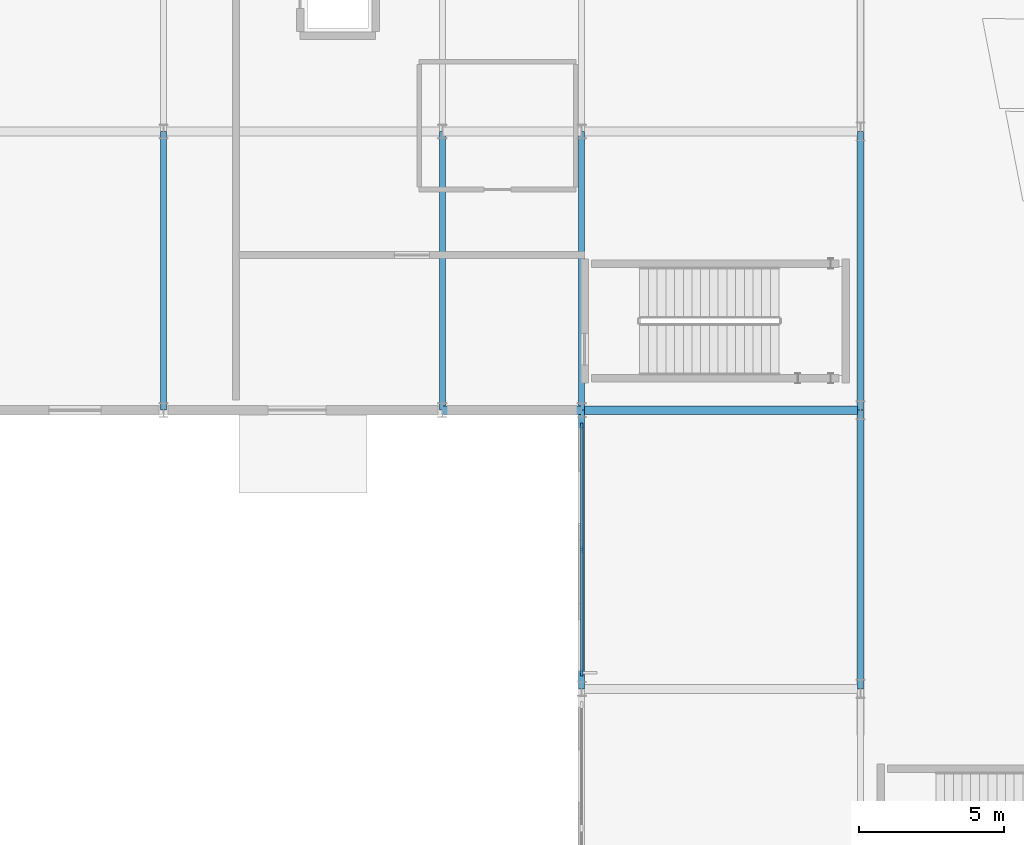
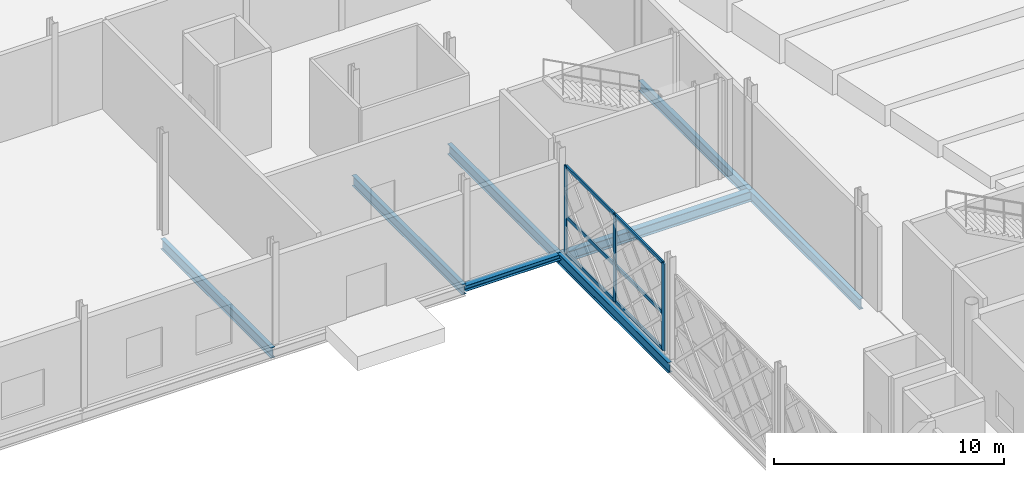
# One storey, part 41 of 84: 9 members, 8 beams, 1 element without a shape of its own.
"""IFC4 building model written with IfcOpenShell, lengths in metres."""

import ifcopenshell
import ifcopenshell.guid

model = None  # the IFC model being written
_history = None  # IfcOwnerHistory: only IFC2X3 demands one
_inside = {}  # id of a spatial element -> (the spatial element, [elements in it])
_under = {}  # id of a project, library or spatial element -> (it, [spatial elements below it])
_declared = {}  # id of a project -> (the project, [libraries it declares])
_typed = {}  # id of a type object -> (the type object, [elements of that type])
_made_of = {}  # id of a material, layer set ... -> (it, [elements and type objects made of it])


def new_model(schema):
    """Start an empty IFC model of exactly this schema.

    Asked for "IFC4X3", IfcOpenShell would pick the latest addendum, in which some entities
    have other attributes; the version numbers below select the first issue.
    IFC2X3 requires an IfcOwnerHistory on every rooted entity: one is made here for all.
    """
    global model, _history
    if schema == "IFC4X3":
        model = ifcopenshell.file(schema_version=(4, 3, 0, 0))
    else:
        model = ifcopenshell.file(schema=schema)
    _inside.clear()
    _under.clear()
    _declared.clear()
    _typed.clear()
    _made_of.clear()
    _history = None
    if model.schema == "IFC2X3":
        org = make("IfcOrganization", Name="unknown")
        user = make(
            "IfcPersonAndOrganization",
            ThePerson=make("IfcPerson", FamilyName="unknown"),
            TheOrganization=org,
        )
        app = make(
            "IfcApplication",
            ApplicationDeveloper=org,
            Version="unknown",
            ApplicationFullName="unknown",
            ApplicationIdentifier="unknown",
        )
        _history = make(
            "IfcOwnerHistory",
            OwningUser=user,
            OwningApplication=app,
            ChangeAction="ADDED",
            CreationDate=0,
        )
    return model


def make(cls, **values):
    """One entity of the class cls with the attributes given. An attribute that is None is left unset."""
    return model.create_entity(
        cls, **{name: value for name, value in values.items() if value is not None}
    )


def rooted(cls, **values):
    """An entity with a GlobalId (a new one), such as an element, a storey or a relation."""
    return make(cls, GlobalId=ifcopenshell.guid.new(), OwnerHistory=_history, **values)


def si_unit(unit_type, name, prefix=None):
    """IfcSIUnit, for example si_unit("LENGTHUNIT", "METRE", prefix="MILLI")."""
    return make("IfcSIUnit", UnitType=unit_type, Prefix=prefix, Name=name)


def assignment(units):
    """IfcUnitAssignment: the units of a project."""
    return None if units is None else make("IfcUnitAssignment", Units=units)


def point(xyz):
    """IfcCartesianPoint."""
    return None if xyz is None else make("IfcCartesianPoint", Coordinates=xyz)


def direction(xyz):
    """IfcDirection."""
    return None if xyz is None else make("IfcDirection", DirectionRatios=xyz)


def frame(location, z_axis=None, x_axis=None):
    """IfcAxis2Placement3D, a coordinate frame: its origin and axes. An axis left out is left unset."""
    return make(
        "IfcAxis2Placement3D",
        Location=point(location),
        Axis=direction(z_axis),
        RefDirection=direction(x_axis),
    )


def frame_2d(location, x_axis=None):
    """IfcAxis2Placement2D, a coordinate frame in the plane: its origin and x axis."""
    return make(
        "IfcAxis2Placement2D", Location=point(location), RefDirection=direction(x_axis)
    )


def origin():
    """The frame at (0, 0, 0) with its axes left unset."""
    return frame((0.0, 0.0, 0.0))


def origin_2d():
    """The frame at (0, 0) in the plane with its x axis left unset."""
    return frame_2d((0.0, 0.0))


def place(relative_to, where):
    """IfcLocalPlacement: puts the frame where relative to a parent placement (None: the world)."""
    return make(
        "IfcLocalPlacement", PlacementRelTo=relative_to, RelativePlacement=where
    )


def context(
    kind, dimensions, precision=None, world=None, true_north=None, identifier=None
):
    """IfcGeometricRepresentationContext, for example the 3D "Model" context."""
    return make(
        "IfcGeometricRepresentationContext",
        ContextIdentifier=identifier,
        ContextType=kind,
        CoordinateSpaceDimension=dimensions,
        Precision=precision,
        WorldCoordinateSystem=world,
        TrueNorth=true_north,
    )


def subcontext(parent, identifier, kind, view, scale=None):
    """IfcGeometricRepresentationSubContext, for example "Body" below "Model"."""
    return make(
        "IfcGeometricRepresentationSubContext",
        ContextIdentifier=identifier,
        ContextType=kind,
        ParentContext=parent,
        TargetScale=scale,
        TargetView=view,
    )


def project(units=None, contexts=None):
    """IfcProject with its units and contexts."""
    return rooted(
        "IfcProject",
        Name="project",
        RepresentationContexts=contexts,
        UnitsInContext=assignment(units),
    )


def spatial(cls, under=None, at=None, **own):
    """A site, building, storey or space (cls), placed at a placement, below another one or the project."""
    s = rooted(cls, ObjectPlacement=at, **own)
    if under is not None:
        _under.setdefault(under.id(), (under, []))[1].append(s)
    return s


def profile(cls, at=None, kind="AREA", **sizes):
    """A parametric profile (cls). Its sizes go by their IFC names, for example OverallWidth=200.0."""
    return make(cls, ProfileType=kind, Position=at, **sizes)


def rectangle(**sizes):
    """IfcRectangleProfileDef."""
    return profile("IfcRectangleProfileDef", **sizes)


def i_section(**sizes):
    """IfcIShapeProfileDef."""
    return profile("IfcIShapeProfileDef", **sizes)


def extrude(swept, where, along, depth):
    """IfcExtrudedAreaSolid: the profile swept, set in the frame where, extruded along a direction by depth."""
    return make(
        "IfcExtrudedAreaSolid",
        SweptArea=swept,
        Position=where,
        ExtrudedDirection=direction(along),
        Depth=depth,
    )


def shape(context_of_items, identifier, shape_type, items):
    """IfcShapeRepresentation: the items that make up one representation, for example the "Body"."""
    return make(
        "IfcShapeRepresentation",
        ContextOfItems=context_of_items,
        RepresentationIdentifier=identifier,
        RepresentationType=shape_type,
        Items=items,
    )


def material(Name=None, Category=None):
    """IfcMaterial."""
    return make("IfcMaterial", Name=Name, Category=Category)


def layer(
    of_material, thickness, ventilated=None, Name=None, Category=None, Priority=None
):
    """IfcMaterialLayer: one layer of a wall or slab, of a material (None: an air gap)."""
    return make(
        "IfcMaterialLayer",
        Material=of_material,
        LayerThickness=thickness,
        IsVentilated=ventilated,
        Name=Name,
        Category=Category,
        Priority=Priority,
    )


def layer_set(layers, Name=None):
    """IfcMaterialLayerSet."""
    return make("IfcMaterialLayerSet", MaterialLayers=layers, LayerSetName=Name)


def material_profile(
    of_material, cross_section, Name=None, Category=None, Priority=None
):
    """IfcMaterialProfile: a cross section and its material."""
    return make(
        "IfcMaterialProfile",
        Name=Name,
        Material=of_material,
        Profile=cross_section,
        Priority=Priority,
        Category=Category,
    )


def profile_set(profiles, Name=None, composite=None):
    """IfcMaterialProfileSet."""
    return make(
        "IfcMaterialProfileSet",
        Name=Name,
        MaterialProfiles=profiles,
        CompositeProfile=composite,
    )


def made_of(thing, what):
    """Note that an element or type object is made of a material, layer set ...; save() writes the relation."""
    if what is not None:
        _made_of.setdefault(what.id(), (what, []))[1].append(thing)
    return thing


def type_object(cls, material=None, **own):
    """A type object (cls), such as IfcWallType, which elements share."""
    return made_of(rooted(cls, **own), material)


def element(
    cls,
    number,
    at=None,
    inside=None,
    cuts=None,
    type_object=None,
    material=None,
    context=None,
    identifier="Body",
    shape_type=None,
    held_by="IfcProductDefinitionShape",
    body=None,
    shapes=None,
    **own,
):
    """One element of the class cls, such as IfcWall. Its Tag is "e" and its number.

    at: its placement. inside: the storey or other place that contains it. cuts: it is an
    opening in that element (IfcRelVoidsElement). A single representation is given by context,
    identifier, shape_type and body (its items); several are given by shapes. held_by: the class
    of the entity that holds the representations. save() writes the other relations.
    """
    e = rooted(cls, Tag="e%d" % number, ObjectPlacement=at, **own)
    if body is not None:
        shapes = [shape(context, identifier, shape_type, body)]
    if shapes is not None:
        e.Representation = make(held_by, Representations=shapes)
    if inside is not None:
        _inside.setdefault(inside.id(), (inside, []))[1].append(e)
    if cuts is not None:
        rooted(
            "IfcRelVoidsElement", RelatingBuildingElement=cuts, RelatedOpeningElement=e
        )
    if type_object is not None:
        _typed.setdefault(type_object.id(), (type_object, []))[1].append(e)
    return made_of(e, material)


def aggregate(whole, parts):
    """IfcRelAggregates: a whole, such as a stair, and the parts it consists of."""
    return rooted("IfcRelAggregates", RelatingObject=whole, RelatedObjects=parts)


def save(model, path):
    """Write the relations noted so far, then the file.

    IfcRelAggregates (storeys below a building ...), IfcRelContainedInSpatialStructure (elements
    in a storey), IfcRelDefinesByType, IfcRelAssociatesMaterial and IfcRelDeclares: one each for
    every whole, place, type object, material and project.
    """
    for whole, parts in _under.values():
        aggregate(whole, parts)
    for where, things in _inside.values():
        rooted(
            "IfcRelContainedInSpatialStructure",
            RelatedElements=things,
            RelatingStructure=where,
        )
    for kind, things in _typed.values():
        rooted("IfcRelDefinesByType", RelatedObjects=things, RelatingType=kind)
    for what, things in _made_of.values():
        rooted("IfcRelAssociatesMaterial", RelatedObjects=things, RelatingMaterial=what)
    for by, libraries in _declared.values():
        rooted("IfcRelDeclares", RelatingContext=by, RelatedDefinitions=libraries)
    model.write(path)


model = new_model("IFC4")

# Units and contexts
model_context = context("Model", 3, precision=1e-05, world=origin(), true_north=direction((0.0, 1.0)))
body_context = subcontext(model_context, "Body", "Model", "MODEL_VIEW")
ifc_project = project(units=[si_unit("LENGTHUNIT", "METRE"), si_unit("AREAUNIT", "SQUARE_METRE"), si_unit("VOLUMEUNIT", "CUBIC_METRE"), si_unit("PLANEANGLEUNIT", "RADIAN"), si_unit("MASSUNIT", "GRAM", prefix="KILO")], contexts=[model_context])

# Site, building, storey
site_placement = place(None, origin())
site = spatial("IfcSite", under=ifc_project, at=site_placement, CompositionType="ELEMENT")
building_placement = place(site_placement, origin())
building = spatial("IfcBuilding", under=site, at=building_placement, Name="Zevrakil Square Congress Hotel", CompositionType="ELEMENT")
storey_placement = place(building_placement, origin())
storey = spatial("IfcBuildingStorey", under=building, at=storey_placement, Name="L01", CompositionType="ELEMENT", Elevation=0.0)

# Beams
ifc_material_1 = material(Name="Steel S355", Category="steel")
ifc_material_profile_1 = material_profile(ifc_material_1, i_section(OverallWidth=0.300048828125, OverallDepth=0.31005859375, WebThickness=0.009033203125, FlangeThickness=0.015380859375, FilletRadius=0.027099609375, at=origin_2d()), Name="HEA 320")
ifc_profile_set_1 = profile_set([ifc_material_profile_1], Name="Steel S355")
beam_type_1 = type_object("IfcBeamType", Name="BM-HEA320", PredefinedType="BEAM", material=ifc_profile_set_1)
beam_1_placement = place(storey_placement, frame((103.199951171875, 84.0, -0.47509765625), z_axis=(1.0, 0.0, 0.0), x_axis=(0.0, 1.0, 0.0)))
element("IfcBeam", 1, at=beam_1_placement, inside=storey, type_object=beam_type_1, Name="L01 primary girder BX-0396", PredefinedType="BEAM", context=body_context, shape_type="SweptSolid", body=[
    extrude(i_section(OverallWidth=0.300048828125, OverallDepth=0.31005859375, WebThickness=0.009033203125, FlangeThickness=0.015380859375, FilletRadius=0.027099609375, at=origin_2d()), origin(), (0.0, 0.0, 1.0), 4.800048828125),
])
ifc_material_2 = material(Name="Steel S355", Category="steel")
ifc_material_profile_2 = material_profile(ifc_material_2, i_section(OverallWidth=0.300048828125, OverallDepth=0.5400390625, WebThickness=0.012451171875, FlangeThickness=0.02392578125, FilletRadius=0.027099609375, at=origin_2d()), Name="HEA 550")
ifc_profile_set_2 = profile_set([ifc_material_profile_2], Name="Steel S355")
beam_type_2 = type_object("IfcBeamType", Name="BM-HEA550", PredefinedType="BEAM", material=ifc_profile_set_2)
beam_2_placement = place(storey_placement, frame((108.0, 84.0, -0.590087890625), z_axis=(1.0, 0.0, 0.0), x_axis=(0.0, 1.0, 0.0)))
element("IfcBeam", 2, at=beam_2_placement, inside=storey, type_object=beam_type_2, Name="L01 primary girder BX-0397", PredefinedType="BEAM", context=body_context, shape_type="SweptSolid", body=[
    extrude(i_section(OverallWidth=0.300048828125, OverallDepth=0.5400390625, WebThickness=0.012451171875, FlangeThickness=0.02392578125, FilletRadius=0.027099609375, at=origin_2d()), origin(), (0.0, 0.0, 1.0), 9.60009765625),
])
ifc_material_3 = material(Name="Steel S355", Category="steel")
ifc_material_profile_3 = material_profile(ifc_material_3, i_section(OverallWidth=0.2099609375, OverallDepth=0.550048828125, WebThickness=0.010986328125, FlangeThickness=0.01708984375, FilletRadius=0.02392578125, at=origin_2d()), Name="IPE 550")
ifc_profile_set_3 = profile_set([ifc_material_profile_3], Name="Steel S355")
beam_type_3 = type_object("IfcBeamType", Name="BM-IPE550", PredefinedType="BEAM", material=ifc_profile_set_3)
for number, where, z_axis, x_axis, name in (
    (3, (93.60009765625, 84.0, -0.594970703125), (0.0, 1.0, 0.0), (-1.0, 0.0, 0.0), "L01 primary girder BY-0571"),
    (4, (103.199951171875, 84.0, -0.594970703125), (0.0, 1.0, 0.0), (-1.0, 0.0, 0.0), "L01 primary girder BY-0580"),
    (5, (108.0, 74.39990234375, -0.594970703125), (0.0, 1.0, 0.0), (-1.0, 0.0, 0.0), "L01 primary girder BY-0592"),
    (6, (108.0, 84.0, -0.594970703125), (0.0, 1.0, 0.0), (-1.0, 0.0, 0.0), "L01 primary girder BY-0593"),
    (7, (117.60009765625, 74.39990234375, -0.594970703125), (0.0, 1.0, 0.0), (-1.0, 0.0, 0.0), "L01 primary girder BY-0609"),
    (8, (117.60009765625, 84.0, -0.594970703125), (0.0, 1.0, 0.0), (-1.0, 0.0, 0.0), "L01 primary girder BY-0610"),
):
    element("IfcBeam", number, at=place(storey_placement, frame(where, z_axis=z_axis, x_axis=x_axis)), inside=storey, type_object=beam_type_3, Name=name, PredefinedType="BEAM", context=body_context, shape_type="SweptSolid", body=[
        extrude(i_section(OverallWidth=0.2099609375, OverallDepth=0.550048828125, WebThickness=0.010986328125, FlangeThickness=0.01708984375, FilletRadius=0.02392578125, at=origin_2d()), origin(), (0.0, 0.0, 1.0), 9.60009765625),
    ])

# Curtain wall, members
ifc_material_4 = material(Name="Aluminium Anodised Bronze", Category="aluminium")
ifc_layer = layer(ifc_material_4, 0.179931640625)
ifc_layer_set = layer_set([ifc_layer], Name="Aluminium Anodised Bronze")
curtain_wall_type = type_object("IfcCurtainWallType", Name="CW-L01-840", PredefinedType="USERDEFINED", material=ifc_layer_set)
curtain_wall_placement = place(storey_placement, origin())
curtain_wall = element("IfcCurtainWall", 9, at=curtain_wall_placement, inside=storey, type_object=curtain_wall_type, Name="L01 diamond curtain wall CW-L01-0140", ObjectType="GLAZED CURTAIN WALL", PredefinedType="USERDEFINED")
ifc_material_5 = material(Name="Aluminium Anodised Bronze", Category="aluminium")
ifc_material_profile_4 = material_profile(ifc_material_5, rectangle(XDim=0.0849609375, YDim=0.179931640625, at=origin_2d()), Name="ALU 85x180")
ifc_profile_set_4 = profile_set([ifc_material_profile_4], Name="Aluminium Anodised Bronze")
member_type_1 = type_object("IfcMemberType", Name="CWM-ALU85x180", PredefinedType="USERDEFINED", material=ifc_profile_set_4)
member_1_placement = place(storey_placement, frame((108.0, 74.97998046875, 0.030029296875), z_axis=(0.0, 1.0, 0.0), x_axis=(-1.0, 0.0, 0.0)))
member_1 = element("IfcMember", 10, at=member_1_placement, type_object=member_type_1, Name="CW-11 transom 1.1", ObjectType="TRANSOM", PredefinedType="USERDEFINED", context=body_context, shape_type="SweptSolid", body=[
    extrude(rectangle(XDim=0.0849609375, YDim=0.179931640625, at=origin_2d()), origin(), (0.0, 0.0, 1.0), 4.18994140625),
])
member_2_placement = place(storey_placement, frame((108.0, 74.97998046875, 1.9423828125), z_axis=(0.0, 1.0, 0.0), x_axis=(-1.0, 0.0, 0.0)))
member_2 = element("IfcMember", 11, at=member_2_placement, type_object=member_type_1, Name="CW-11 transom 1.2", ObjectType="TRANSOM", PredefinedType="USERDEFINED", context=body_context, shape_type="SweptSolid", body=[
    extrude(rectangle(XDim=0.0849609375, YDim=0.179931640625, at=origin_2d()), origin(), (0.0, 0.0, 1.0), 4.18994140625),
])
member_3_placement = place(storey_placement, frame((108.0, 74.97998046875, 4.594970703125), z_axis=(0.0, 1.0, 0.0), x_axis=(-1.0, 0.0, 0.0)))
member_3 = element("IfcMember", 12, at=member_3_placement, type_object=member_type_1, Name="CW-11 transom 1.3", ObjectType="TRANSOM", PredefinedType="USERDEFINED", context=body_context, shape_type="SweptSolid", body=[
    extrude(rectangle(XDim=0.0849609375, YDim=0.179931640625, at=origin_2d()), origin(), (0.0, 0.0, 1.0), 4.18994140625),
])
member_4_placement = place(storey_placement, frame((108.0, 79.22998046875, 0.030029296875), z_axis=(0.0, 1.0, 0.0), x_axis=(-1.0, 0.0, 0.0)))
member_4 = element("IfcMember", 13, at=member_4_placement, type_object=member_type_1, Name="CW-11 transom 2.1", ObjectType="TRANSOM", PredefinedType="USERDEFINED", context=body_context, shape_type="SweptSolid", body=[
    extrude(rectangle(XDim=0.0849609375, YDim=0.179931640625, at=origin_2d()), origin(), (0.0, 0.0, 1.0), 4.18994140625),
])
member_5_placement = place(storey_placement, frame((108.0, 79.22998046875, 1.9423828125), z_axis=(0.0, 1.0, 0.0), x_axis=(-1.0, 0.0, 0.0)))
member_5 = element("IfcMember", 14, at=member_5_placement, type_object=member_type_1, Name="CW-11 transom 2.2", ObjectType="TRANSOM", PredefinedType="USERDEFINED", context=body_context, shape_type="SweptSolid", body=[
    extrude(rectangle(XDim=0.0849609375, YDim=0.179931640625, at=origin_2d()), origin(), (0.0, 0.0, 1.0), 4.18994140625),
])
member_6_placement = place(storey_placement, frame((108.0, 79.22998046875, 4.594970703125), z_axis=(0.0, 1.0, 0.0), x_axis=(-1.0, 0.0, 0.0)))
member_6 = element("IfcMember", 15, at=member_6_placement, type_object=member_type_1, Name="CW-11 transom 2.3", ObjectType="TRANSOM", PredefinedType="USERDEFINED", context=body_context, shape_type="SweptSolid", body=[
    extrude(rectangle(XDim=0.0849609375, YDim=0.179931640625, at=origin_2d()), origin(), (0.0, 0.0, 1.0), 4.18994140625),
])
ifc_material_6 = material(Name="Aluminium Anodised Bronze", Category="aluminium")
ifc_material_profile_5 = material_profile(ifc_material_6, rectangle(XDim=0.0849609375, YDim=0.219970703125, at=origin_2d()), Name="ALU 85x220")
ifc_profile_set_5 = profile_set([ifc_material_profile_5], Name="Aluminium Anodised Bronze")
member_type_2 = type_object("IfcMemberType", Name="CWM-ALU85x220", PredefinedType="MULLION", material=ifc_profile_set_5)
member_7_placement = place(storey_placement, frame((108.0, 74.949951171875, 0.0), z_axis=(0.0, 0.0, 1.0), x_axis=(-1.0, 0.0, 0.0)))
member_7 = element("IfcMember", 16, at=member_7_placement, type_object=member_type_2, Name="CW-11 mullion 1", PredefinedType="MULLION", context=body_context, shape_type="SweptSolid", body=[
    extrude(rectangle(XDim=0.0849609375, YDim=0.219970703125, at=origin_2d()), origin(), (0.0, 0.0, 1.0), 4.625),
])
member_8_placement = place(storey_placement, frame((108.0, 79.199951171875, 0.0), z_axis=(0.0, 0.0, 1.0), x_axis=(-1.0, 0.0, 0.0)))
member_8 = element("IfcMember", 17, at=member_8_placement, type_object=member_type_2, Name="CW-11 mullion 2", PredefinedType="MULLION", context=body_context, shape_type="SweptSolid", body=[
    extrude(rectangle(XDim=0.0849609375, YDim=0.219970703125, at=origin_2d()), origin(), (0.0, 0.0, 1.0), 4.625),
])
member_9_placement = place(storey_placement, frame((108.0, 83.449951171875, 0.0), z_axis=(0.0, 0.0, 1.0), x_axis=(-1.0, 0.0, 0.0)))
member_9 = element("IfcMember", 18, at=member_9_placement, type_object=member_type_2, Name="CW-11 mullion 3", PredefinedType="MULLION", context=body_context, shape_type="SweptSolid", body=[
    extrude(rectangle(XDim=0.0849609375, YDim=0.219970703125, at=origin_2d()), origin(), (0.0, 0.0, 1.0), 4.625),
])
aggregate(curtain_wall, [member_7, member_8, member_9, member_1, member_2, member_3, member_4, member_5, member_6])

save(model, "model.ifc")
